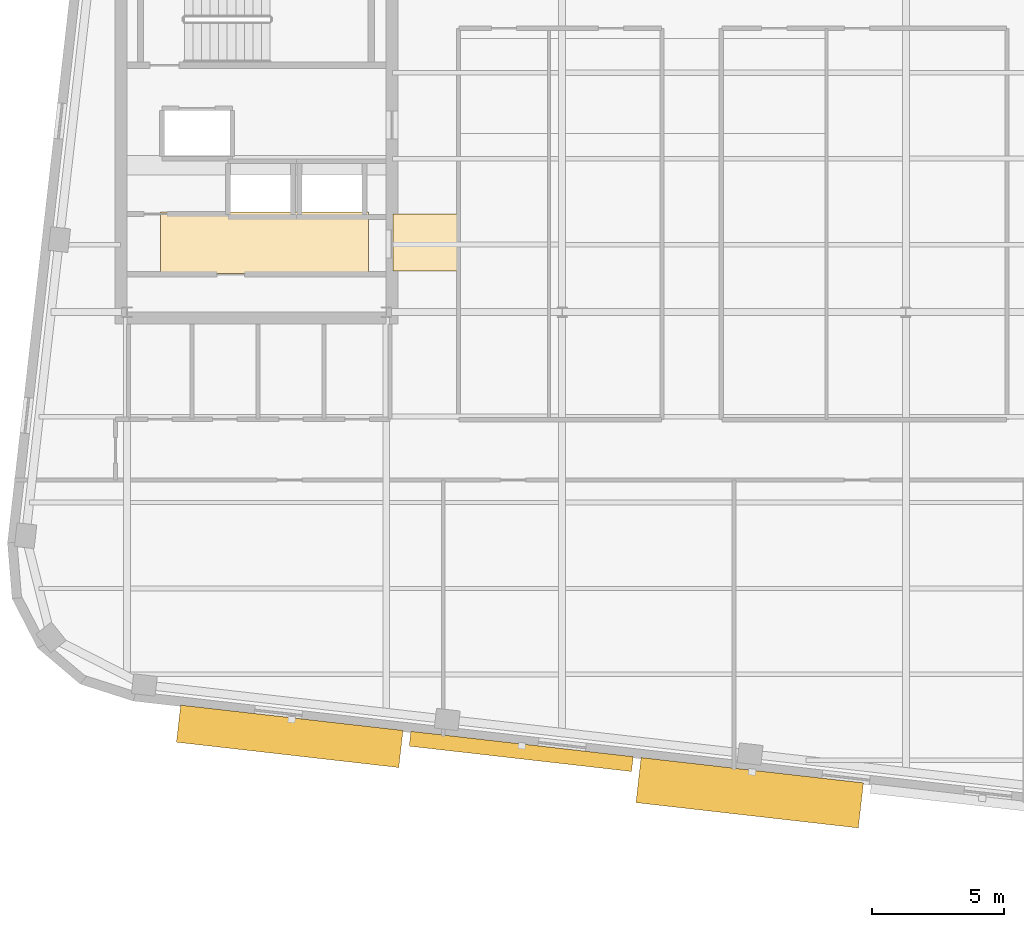
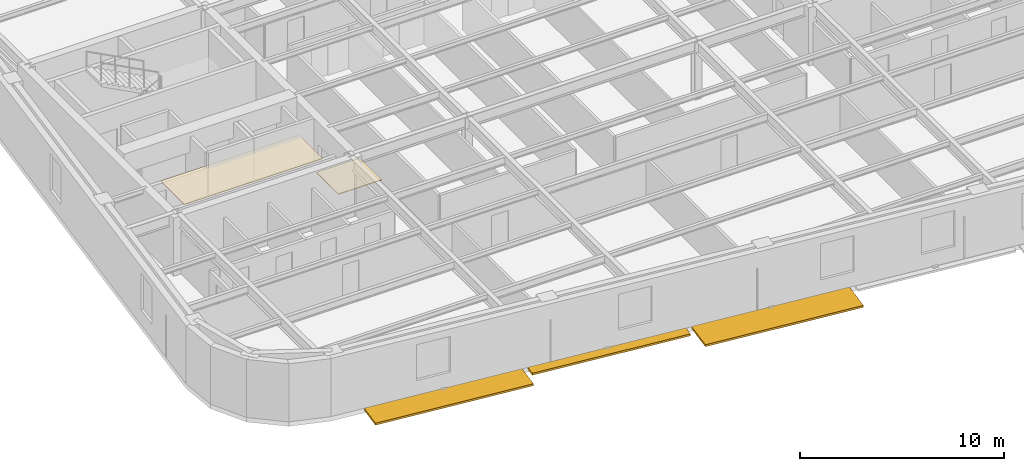
# One storey, part 10 of 13: 3 shading devices, 2 coverings.
"""IFC4 building model written with IfcOpenShell, lengths in metres."""

from ifc_helpers import new_model, si_unit, direction, frame, origin, origin_2d, place, context, subcontext, project, spatial, polyline, rectangle, outline, extrude, material, layer, layer_set, type_object, element, save


model = new_model("IFC4")

# Units and contexts
model_context = context("Model", 3, precision=1e-05, world=origin(), true_north=direction((0.0, 1.0)))
body_context = subcontext(model_context, "Body", "Model", "MODEL_VIEW")
ifc_project = project(units=[si_unit("LENGTHUNIT", "METRE"), si_unit("AREAUNIT", "SQUARE_METRE"), si_unit("VOLUMEUNIT", "CUBIC_METRE"), si_unit("PLANEANGLEUNIT", "RADIAN"), si_unit("MASSUNIT", "GRAM", prefix="KILO")], contexts=[model_context])

# Site, building, storey
site_placement = place(None, origin())
site = spatial("IfcSite", under=ifc_project, at=site_placement, CompositionType="ELEMENT")
building_placement = place(site_placement, origin())
building = spatial("IfcBuilding", under=site, at=building_placement, Name="Kolvaren Arena Tower", CompositionType="ELEMENT")
storey_placement = place(building_placement, frame((0.0, 0.0, 228.449951171875)))
storey = spatial("IfcBuildingStorey", under=building, at=storey_placement, Name="L55", CompositionType="ELEMENT", Elevation=228.449951171875)

# Coverings
ifc_material_1 = material(Name="Moisture-resistant gypsum ceiling", Category="gypsum")
ifc_layer_1 = layer(ifc_material_1, 0.030029296875)
ifc_layer_set_1 = layer_set([ifc_layer_1], Name="Moisture-resistant gypsum ceiling")
covering_type_1 = type_object("IfcCoveringType", Name="CEIL-GYP-1", PredefinedType="CEILING", material=ifc_layer_set_1)
covering_1_placement = place(storey_placement, frame((0.0, 0.0, 2.52001953125)))
element("IfcCovering", 1, at=covering_1_placement, inside=storey, type_object=covering_type_1, Name="Suspended Ceiling (L55)", PredefinedType="CEILING", context=body_context, shape_type="SweptSolid", body=[
    extrude(outline(polyline([(15.820068359375, 20.89990234375), (15.820068359375, 23.239990234375), (23.679931640625, 23.239990234375), (23.679931640625, 20.89990234375), (15.820068359375, 20.89990234375)])), origin(), (0.0, 0.0, 1.0), 0.030029296875),
])
ifc_material_2 = material(Name="Raised access office floor finish", Category="aluminium")
ifc_layer_2 = layer(ifc_material_2, 0.044921875)
ifc_layer_set_2 = layer_set([ifc_layer_2], Name="Raised access office floor finish")
covering_type_2 = type_object("IfcCoveringType", Name="FLOR-RAF-1", PredefinedType="FLOORING", material=ifc_layer_set_2)
covering_2_placement = place(storey_placement, origin())
element("IfcCovering", 2, at=covering_2_placement, inside=storey, type_object=covering_type_2, Name="Floor Finish (L55)", PredefinedType="FLOORING", context=body_context, shape_type="SweptSolid", body=[
    extrude(outline(polyline([(24.60009765625, 21.0), (24.60009765625, 23.14990234375), (27.080078125, 23.14990234375), (27.080078125, 21.0), (24.60009765625, 21.0)])), origin(), (0.0, 0.0, 1.0), 0.045166015625),
])

# Shading devices
ifc_material_3 = material(Name="Architectural precast GFRC and anodised aluminium sunshade", Category="concrete")
shading_device_type_1 = type_object("IfcShadingDeviceType", Name="SHAD-SINE-A", PredefinedType="USERDEFINED", material=ifc_material_3)
shading_device_1_placement = place(storey_placement, frame((29.455078125, 2.839599609375, -0.139892578125), z_axis=(0.0, 0.0, 1.0), x_axis=(-0.993571658098, 0.113204947878, 0.0)))
element("IfcShadingDevice", 3, at=shading_device_1_placement, inside=storey, type_object=shading_device_type_1, Name="Sinusoidal Slab-Edge Sunshade Louvre (L55)", ObjectType="LOUVRE", PredefinedType="USERDEFINED", context=body_context, shape_type="SweptSolid", body=[
    extrude(rectangle(XDim=8.4599609375, YDim=0.564453125, at=origin_2d()), origin(), (0.0, 0.0, 1.0), 0.1201171875),
])
shading_device_type_2 = type_object("IfcShadingDeviceType", Name="SHAD-SINE-B", PredefinedType="JALOUSIE", material=ifc_material_3)
shading_device_2_placement = place(storey_placement, frame((38.093505859375, 1.276611328125, -0.139892578125), z_axis=(0.0, 0.0, 1.0), x_axis=(-0.993571658098, 0.113204947878, 0.0)))
element("IfcShadingDevice", 4, at=shading_device_2_placement, inside=storey, type_object=shading_device_type_2, Name="Sinusoidal Slab-Edge Sunshade Louvre (L55)", PredefinedType="JALOUSIE", context=body_context, shape_type="SweptSolid", body=[
    extrude(rectangle(XDim=8.4599609375, YDim=1.71435546875, at=origin_2d()), origin(), (0.0, 0.0, 1.0), 0.1201171875),
])
shading_device_3_placement = place(storey_placement, frame((20.703369140625, 3.410400390625, -0.139892578125), z_axis=(0.0, 0.0, 1.0), x_axis=(-0.993571658098, 0.113204947878, 0.0)))
element("IfcShadingDevice", 5, at=shading_device_3_placement, inside=storey, type_object=shading_device_type_2, Name="Sinusoidal Slab-Edge Sunshade Louvre (L55)", PredefinedType="JALOUSIE", context=body_context, shape_type="SweptSolid", body=[
    extrude(rectangle(XDim=8.4599609375, YDim=1.41162109375, at=origin_2d()), origin(), (0.0, 0.0, 1.0), 0.1201171875),
])

save(model, "model.ifc")
